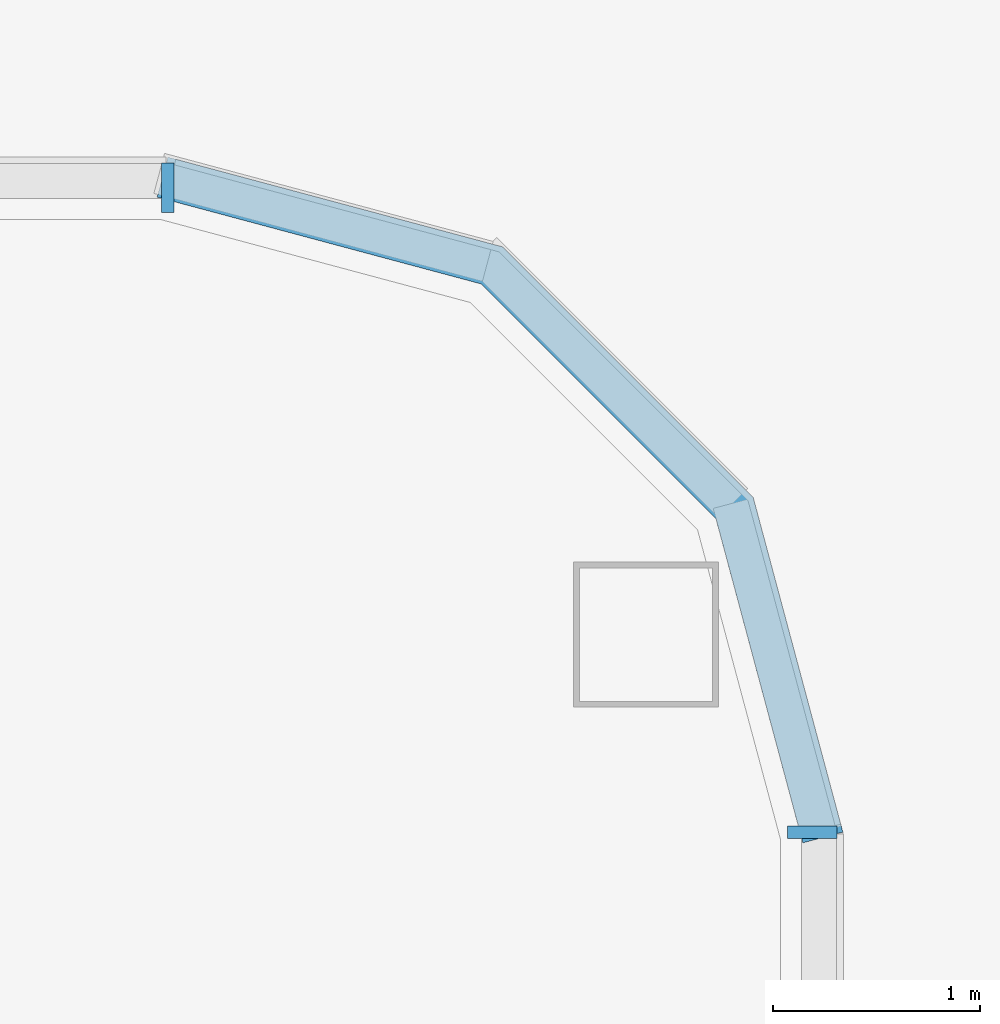
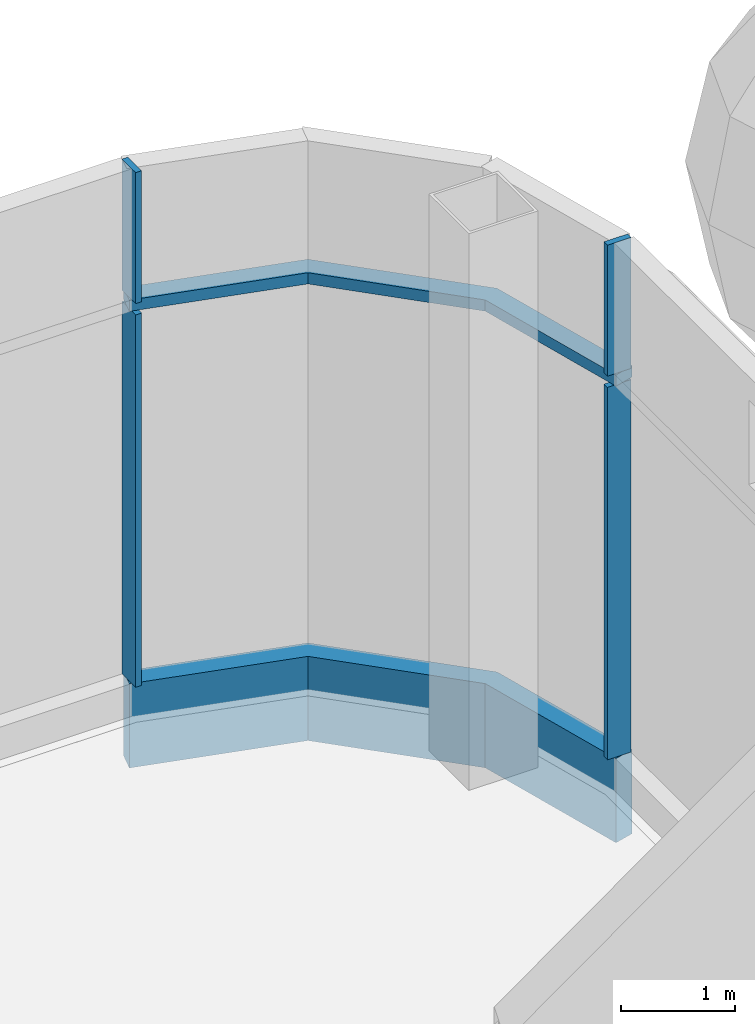
# One storey, part 10 of 43: 6 members, 3 elements without a shape of their own.
"""IFC4 building model written with IfcOpenShell, lengths in metres."""

from ifc_helpers import new_model, si_unit, direction, frame, origin, origin_2d, place, context, subcontext, project, spatial, polyline, rectangle, outline, extrude, material, layer, layer_set, material_profile, profile_set, type_object, element, aggregate, save


model = new_model("IFC4")

# Units and contexts
model_context = context("Model", 3, precision=1e-05, world=origin(), true_north=direction((0.0, 1.0)))
body_context = subcontext(model_context, "Body", "Model", "MODEL_VIEW")
ifc_project = project(units=[si_unit("LENGTHUNIT", "METRE"), si_unit("AREAUNIT", "SQUARE_METRE"), si_unit("VOLUMEUNIT", "CUBIC_METRE"), si_unit("PLANEANGLEUNIT", "RADIAN"), si_unit("MASSUNIT", "GRAM", prefix="KILO")], contexts=[model_context])

# Site, building, storey
site_placement = place(None, origin())
site = spatial("IfcSite", under=ifc_project, at=site_placement, CompositionType="ELEMENT")
building_placement = place(site_placement, origin())
building = spatial("IfcBuilding", under=site, at=building_placement, Name="Hakoniwa Tower and Hamabe Station Hall", CompositionType="ELEMENT")
storey_placement = place(building_placement, frame((0.0, 0.0, 124.60009765625)))
storey = spatial("IfcBuildingStorey", under=building, at=storey_placement, Name="L35", CompositionType="ELEMENT", Elevation=124.60009765625)

# Curtain wall, members
ifc_material_1 = material(Name="Dark low-e laminated glass", Category="glass")
ifc_layer = layer(ifc_material_1, 0.199951171875)
ifc_layer_set = layer_set([ifc_layer], Name="CW-2 SKY GARDEN")
curtain_wall_type = type_object("IfcCurtainWallType", Name="CW-2 SKY GARDEN", PredefinedType="NOTDEFINED", material=ifc_layer_set)
curtain_wall_1_placement = place(storey_placement, origin())
curtain_wall_1 = element("IfcCurtainWall", 1, at=curtain_wall_1_placement, inside=storey, type_object=curtain_wall_type, Name="CW-2 curtain wall", PredefinedType="NOTDEFINED")
ifc_material_2 = material(Name="Aluminium 6063-T5 black anodised", Category="aluminium")
ifc_material_profile_1 = material_profile(ifc_material_2, rectangle(XDim=0.199951171875, YDim=0.1201171875, at=origin_2d()), Name="CW MID TRANSOM 120X200")
ifc_profile_set_1 = profile_set([ifc_material_profile_1], Name="Aluminium 6063-T5 black anodised")
member_type_1 = type_object("IfcMemberType", Name="CW MID TRANSOM 120X200", PredefinedType="USERDEFINED", material=ifc_profile_set_1)
member_1_placement = place(storey_placement, frame((0.0, 0.0, 4.329833984375)))
member_1 = element("IfcMember", 2, at=member_1_placement, type_object=member_type_1, Name="CW-2 transom", ObjectType="TRANSOM", PredefinedType="USERDEFINED", context=body_context, shape_type="SweptSolid", body=[
    extrude(outline(polyline([(42.699951171875, 15.03955078125), (42.26708984375, 16.6552734375), (41.05517578125, 17.866943359375), (39.439453125, 18.300048828125), (39.3876953125, 18.10693359375), (40.95166015625, 17.687744140625), (42.087646484375, 16.5517578125), (42.5068359375, 14.98779296875), (42.699951171875, 15.03955078125)])), origin(), (0.0, 0.0, 1.0), 0.1201171875),
])
ifc_material_3 = material(Name="Aluminium 6063-T5 black anodised", Category="aluminium")
ifc_material_profile_2 = material_profile(ifc_material_3, rectangle(XDim=0.199951171875, YDim=0.89990234375, at=origin_2d()), Name="CW SLAB-EDGE BAND 900X200")
ifc_profile_set_2 = profile_set([ifc_material_profile_2], Name="Aluminium 6063-T5 black anodised")
member_type_2 = type_object("IfcMemberType", Name="CW SLAB-EDGE BAND 900X200", PredefinedType="USERDEFINED", material=ifc_profile_set_2)
member_2_placement = place(storey_placement, frame((0.0, 0.0, -0.550048828125)))
member_2 = element("IfcMember", 3, at=member_2_placement, type_object=member_type_2, Name="CW-2 transom", ObjectType="TRANSOM", PredefinedType="USERDEFINED", context=body_context, shape_type="SweptSolid", body=[
    extrude(outline(polyline([(42.699951171875, 15.03955078125), (42.26708984375, 16.6552734375), (41.05517578125, 17.866943359375), (39.439453125, 18.300048828125), (39.3876953125, 18.10693359375), (40.95166015625, 17.687744140625), (42.087646484375, 16.5517578125), (42.5068359375, 14.98779296875), (42.699951171875, 15.03955078125)])), origin(), (0.0, 0.0, 1.0), 0.89990234375),
])
aggregate(curtain_wall_1, [member_2, member_1])

curtain_wall_2_placement = place(storey_placement, origin())
curtain_wall_2 = element("IfcCurtainWall", 4, at=curtain_wall_2_placement, inside=storey, type_object=curtain_wall_type, Name="CW-2 curtain wall", PredefinedType="NOTDEFINED")
ifc_material_4 = material(Name="Aluminium 6063-T5 black anodised", Category="aluminium")
ifc_material_profile_3 = material_profile(ifc_material_4, rectangle(XDim=0.06005859375, YDim=0.239990234375, at=origin_2d()), Name="CW-2 MULLION 60X240")
ifc_profile_set_3 = profile_set([ifc_material_profile_3], Name="Aluminium 6063-T5 black anodised")
member_type_3 = type_object("IfcMemberType", Name="CW-2 MULLION 60X240", PredefinedType="MULLION", material=ifc_profile_set_3)
member_3_placement = place(storey_placement, frame((42.552001953125, 15.03955078125, 0.349853515625), z_axis=(0.0, 0.0, 1.0), x_axis=(0.0, 1.0, 0.0)))
member_3 = element("IfcMember", 5, at=member_3_placement, type_object=member_type_3, Name="CW-2 mullion", PredefinedType="MULLION", context=body_context, shape_type="SweptSolid", body=[
    extrude(rectangle(XDim=0.06005859375, YDim=0.239990234375, at=origin_2d()), origin(), (0.0, 0.0, 1.0), 3.97998046875),
])
member_4_placement = place(storey_placement, frame((42.552001953125, 15.03955078125, 4.449951171875), z_axis=(0.0, 0.0, 1.0), x_axis=(0.0, 1.0, 0.0)))
member_4 = element("IfcMember", 6, at=member_4_placement, type_object=member_type_3, Name="CW-2 mullion", PredefinedType="MULLION", context=body_context, shape_type="SweptSolid", body=[
    extrude(rectangle(XDim=0.06005859375, YDim=0.239990234375, at=origin_2d()), origin(), (0.0, 0.0, 1.0), 1.39990234375),
])
aggregate(curtain_wall_2, [member_3, member_4])

curtain_wall_3_placement = place(storey_placement, origin())
curtain_wall_3 = element("IfcCurtainWall", 7, at=curtain_wall_3_placement, inside=storey, type_object=curtain_wall_type, Name="CW-2 curtain wall", PredefinedType="NOTDEFINED")
member_5_placement = place(storey_placement, frame((39.439453125, 18.152099609375, 0.349853515625), z_axis=(0.0, 0.0, 1.0), x_axis=(-1.0, 0.0, 0.0)))
member_5 = element("IfcMember", 8, at=member_5_placement, type_object=member_type_3, Name="CW-2 mullion", PredefinedType="MULLION", context=body_context, shape_type="SweptSolid", body=[
    extrude(rectangle(XDim=0.06005859375, YDim=0.239990234375, at=origin_2d()), origin(), (0.0, 0.0, 1.0), 3.97998046875),
])
member_6_placement = place(storey_placement, frame((39.439453125, 18.152099609375, 4.449951171875), z_axis=(0.0, 0.0, 1.0), x_axis=(-1.0, 0.0, 0.0)))
member_6 = element("IfcMember", 9, at=member_6_placement, type_object=member_type_3, Name="CW-2 mullion", PredefinedType="MULLION", context=body_context, shape_type="SweptSolid", body=[
    extrude(rectangle(XDim=0.06005859375, YDim=0.239990234375, at=origin_2d()), origin(), (0.0, 0.0, 1.0), 1.39990234375),
])
aggregate(curtain_wall_3, [member_5, member_6])

save(model, "model.ifc")
